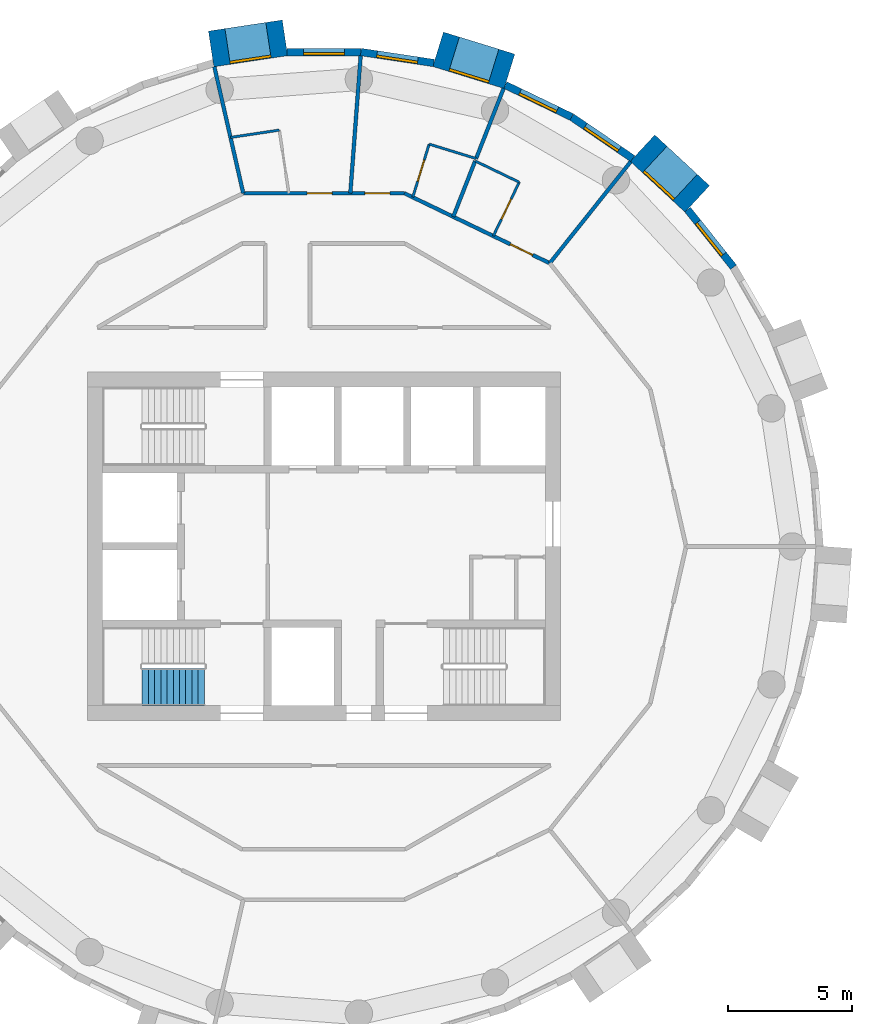
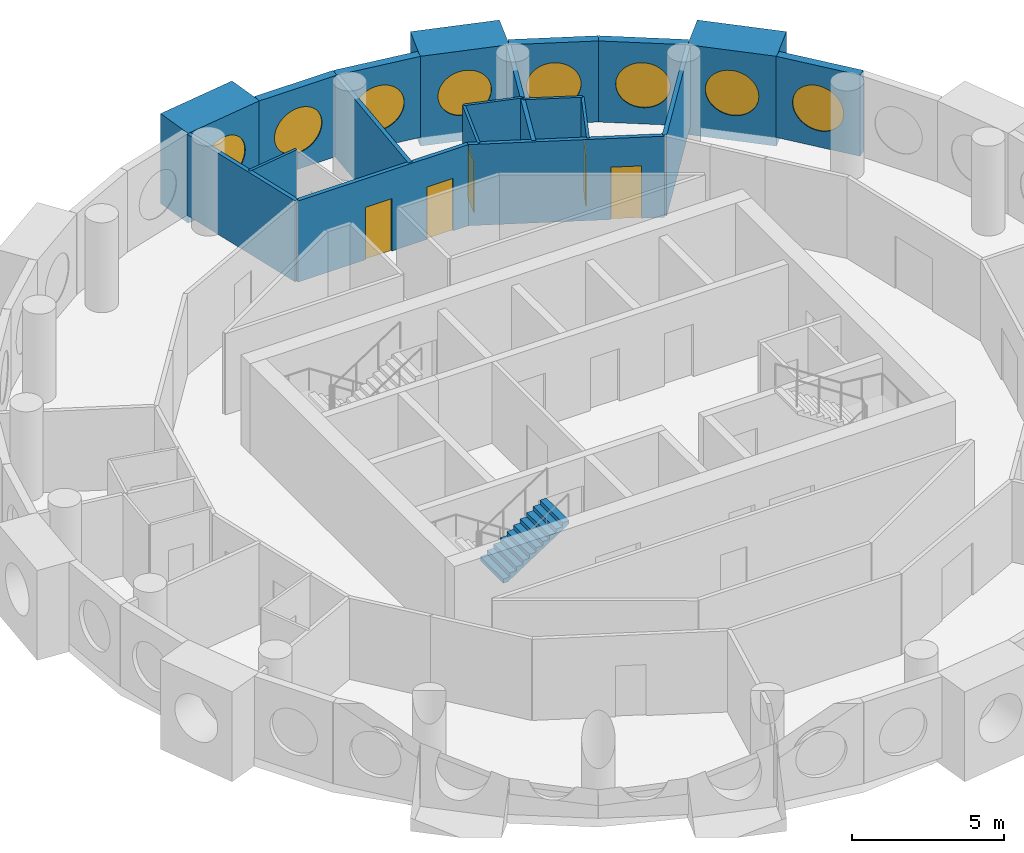
# One storey, part 10 of 12: 20 walls, 8 windows, 5 doors, 1 stair flight, 13 openings, 1 element without a shape of its own.
"""IFC4 building model written with IfcOpenShell, lengths in metres."""

from ifc_helpers import new_model, si_unit, direction, frame, frame_2d, origin, origin_2d, place, context, subcontext, project, spatial, polyline, rectangle, circle, outline, extrude, material, layer, layer_set, type_object, element, fill, aggregate, save


model = new_model("IFC4")

# Units and contexts
model_context = context("Model", 3, precision=1e-05, world=origin(), true_north=direction((0.0, 1.0)))
body_context = subcontext(model_context, "Body", "Model", "MODEL_VIEW")
ifc_project = project(units=[si_unit("LENGTHUNIT", "METRE"), si_unit("AREAUNIT", "SQUARE_METRE"), si_unit("VOLUMEUNIT", "CUBIC_METRE"), si_unit("PLANEANGLEUNIT", "RADIAN"), si_unit("MASSUNIT", "GRAM", prefix="KILO")], contexts=[model_context])

# Site, building, storey
site_placement = place(None, origin())
site = spatial("IfcSite", under=ifc_project, at=site_placement, CompositionType="ELEMENT")
building_placement = place(site_placement, origin())
building = spatial("IfcBuilding", under=site, at=building_placement, Name="Tracery Tower", CompositionType="ELEMENT")
storey_placement = place(building_placement, frame((0.0, 0.0, 241.800048828125)))
storey = spatial("IfcBuildingStorey", under=building, at=storey_placement, Name="L62", CompositionType="ELEMENT", Elevation=241.800048828125)

# Wall, opening, window
ifc_material_1 = material(Name="Precast concrete C50/60", Category="concrete")
ifc_layer_1 = layer(ifc_material_1, 1.449951171875)
ifc_layer_set_1 = layer_set([ifc_layer_1], Name="Deep-set bay unit 3000 x 3600, slab edge 350")
wall_type_1 = type_object("IfcWallType", Name="Deep-set bay unit 3000 x 3600, slab edge 350", PredefinedType="ELEMENTEDWALL", material=ifc_layer_set_1)
wall_1_placement = place(storey_placement, frame((15.0029296875, 13.964111328125, -0.35009765625), z_axis=(0.0, 0.0, 1.0), x_axis=(-0.733022439167, 0.680204457261, 0.0)))
wall_1 = element("IfcWall", 1, at=wall_1_placement, inside=storey, type_object=wall_type_1, Name="Deep-set bay unit 6 at L62", PredefinedType="ELEMENTEDWALL", context=body_context, shape_type="SweptSolid", body=[
    extrude(rectangle(XDim=2.999755859375, YDim=1.449951171875, at=frame_2d((1.5, 0.0))), origin(), (0.0, 0.0, 1.0), 3.60009765625),
])
opening_1_placement = place(wall_1_placement, frame((1.5, 0.0, 1.89990234375)))
opening_1 = element("IfcOpeningElement", 2, at=opening_1_placement, cuts=wall_1, Name="Opening WN1", PredefinedType="OPENING", context=body_context, shape_type="SweptSolid", body=[
    extrude(circle(Radius=0.9000244140625, at=origin_2d()), frame((0.0, 0.73486328125, 0.0), z_axis=(0.0, -1.0, 0.0), x_axis=(1.0, 0.0, 0.0)), (0.0, 0.0, 1.0), 1.469970703125),
])
ifc_material_2 = material(Name="Aluminium frame with tinted double glazing", Category="aluminium")
window_type = type_object("IfcWindowType", Name="Round window 1800", PartitioningType="SINGLE_PANEL", PredefinedType="WINDOW", material=ifc_material_2)
window_1_placement = place(opening_1_placement, origin())
window_1 = element("IfcWindow", 3, at=window_1_placement, inside=storey, type_object=window_type, Name="Round window 6 at L62", OverallHeight=1.800048828125, OverallWidth=1.800048828125, PartitioningType="SINGLE_PANEL", PredefinedType="WINDOW", context=body_context, shape_type="SweptSolid", body=[
    extrude(circle(Radius=0.9000244140625, at=origin_2d()), frame((0.0, 0.69482421875, 0.0), z_axis=(0.0, -1.0, 0.0), x_axis=(1.0, 0.0, 0.0)), (0.0, 0.0, 1.0), 0.10009765625),
])
fill(opening_1, window_1)

wall_2_placement = place(storey_placement, frame((7.45849609375, 19.0908203125, -0.35009765625), z_axis=(0.0, 0.0, 1.0), x_axis=(-0.955571139978, 0.294760574774, 0.0)))
wall_2 = element("IfcWall", 4, at=wall_2_placement, inside=storey, type_object=wall_type_1, Name="Deep-set bay unit 9 at L62", PredefinedType="ELEMENTEDWALL", context=body_context, shape_type="SweptSolid", body=[
    extrude(rectangle(XDim=3.0, YDim=1.449951171875, at=frame_2d((1.5, 0.0))), origin(), (0.0, 0.0, 1.0), 3.60009765625),
])
opening_2_placement = place(wall_2_placement, frame((1.5, 0.0, 1.89990234375)))
opening_2 = element("IfcOpeningElement", 5, at=opening_2_placement, cuts=wall_2, Name="Opening WN1", PredefinedType="OPENING", context=body_context, shape_type="SweptSolid", body=[
    extrude(circle(Radius=0.9000244140625, at=origin_2d()), frame((0.0, 0.73486328125, 0.0), z_axis=(0.0, -1.0, 0.0), x_axis=(1.0, 0.0, 0.0)), (0.0, 0.0, 1.0), 1.469970703125),
])
window_2_placement = place(opening_2_placement, origin())
window_2 = element("IfcWindow", 6, at=window_2_placement, inside=storey, type_object=window_type, Name="Round window 9 at L62", OverallHeight=1.800048828125, OverallWidth=1.800048828125, PartitioningType="SINGLE_PANEL", PredefinedType="WINDOW", context=body_context, shape_type="SweptSolid", body=[
    extrude(circle(Radius=0.9000244140625, at=origin_2d()), frame((0.0, 0.69482421875, 0.0), z_axis=(0.0, -1.0, 0.0), x_axis=(1.0, 0.0, 0.0)), (0.0, 0.0, 1.0), 0.10009765625),
])
fill(opening_2, window_2)

wall_3_placement = place(storey_placement, frame((-1.563232421875, 20.436279296875, -0.35009765625), z_axis=(0.0, 0.0, 1.0), x_axis=(-0.988836445254, -0.149004981587, 0.0)))
wall_3 = element("IfcWall", 7, at=wall_3_placement, inside=storey, type_object=wall_type_1, Name="Deep-set bay unit 12 at L62", PredefinedType="ELEMENTEDWALL", context=body_context, shape_type="SweptSolid", body=[
    extrude(rectangle(XDim=3.0, YDim=1.449951171875, at=frame_2d((1.5, 0.0))), origin(), (0.0, 0.0, 1.0), 3.60009765625),
])
opening_3_placement = place(wall_3_placement, frame((1.5, 0.0, 1.89990234375)))
opening_3 = element("IfcOpeningElement", 8, at=opening_3_placement, cuts=wall_3, Name="Opening WN1", PredefinedType="OPENING", context=body_context, shape_type="SweptSolid", body=[
    extrude(circle(Radius=0.9000244140625, at=origin_2d()), frame((0.0, 0.73486328125, 0.0), z_axis=(0.0, -1.0, 0.0), x_axis=(1.0, 0.0, 0.0)), (0.0, 0.0, 1.0), 1.469970703125),
])
window_3_placement = place(opening_3_placement, origin())
window_3 = element("IfcWindow", 9, at=window_3_placement, inside=storey, type_object=window_type, Name="Round window 12 at L62", OverallHeight=1.800048828125, OverallWidth=1.800048828125, PartitioningType="SINGLE_PANEL", PredefinedType="WINDOW", context=body_context, shape_type="SweptSolid", body=[
    extrude(circle(Radius=0.9000244140625, at=origin_2d()), frame((0.0, 0.69482421875, 0.0), z_axis=(0.0, -1.0, 0.0), x_axis=(1.0, 0.0, 0.0)), (0.0, 0.0, 1.0), 0.10009765625),
])
fill(opening_3, window_3)

ifc_material_3 = material(Name="Precast concrete C50/60", Category="concrete")
ifc_layer_2 = layer(ifc_material_3, 0.300048828125)
ifc_layer_set_2 = layer_set([ifc_layer_2], Name="Facade panel 3000 x 3250")
wall_type_2 = type_object("IfcWallType", Name="Facade panel 3000 x 3250", PredefinedType="SOLIDWALL", material=ifc_layer_set_2)
wall_4_placement = place(storey_placement, frame((16.460205078125, 11.222412109375, 0.0), z_axis=(0.0, 0.0, 1.0), x_axis=(-0.623498236992, 0.781824755599, 0.0)))
wall_4 = element("IfcWall", 10, at=wall_4_placement, inside=storey, type_object=wall_type_2, Name="Facade panel 5 at L62", PredefinedType="SOLIDWALL", context=body_context, shape_type="SweptSolid", body=[
    extrude(rectangle(XDim=2.962158203125, YDim=0.300048828125, at=frame_2d((1.48095703125, 0.0))), origin(), (0.0, 0.0, 1.0), 3.25),
])
opening_4_placement = place(wall_4_placement, frame((1.48095703125, 0.0, 1.5498046875)))
opening_4 = element("IfcOpeningElement", 11, at=opening_4_placement, cuts=wall_4, Name="Opening WN1", PredefinedType="OPENING", context=body_context, shape_type="SweptSolid", body=[
    extrude(circle(Radius=0.9000244140625, at=origin_2d()), frame((0.0, 0.159912109375, 0.0), z_axis=(0.0, -1.0, 0.0), x_axis=(1.0, 0.0, 0.0)), (0.0, 0.0, 1.0), 0.320068359375),
])
window_4_placement = place(opening_4_placement, origin())
window_4 = element("IfcWindow", 12, at=window_4_placement, inside=storey, type_object=window_type, Name="Round window 5 at L62", OverallHeight=1.800048828125, OverallWidth=1.800048828125, PartitioningType="SINGLE_PANEL", PredefinedType="WINDOW", context=body_context, shape_type="SweptSolid", body=[
    extrude(circle(Radius=0.9000244140625, at=origin_2d()), frame((0.0, 0.1201171875, 0.0), z_axis=(0.0, -1.0, 0.0), x_axis=(1.0, 0.0, 0.0)), (0.0, 0.0, 1.0), 0.10009765625),
])
fill(opening_4, window_4)

wall_5_placement = place(storey_placement, frame((12.408447265625, 15.583984375, 0.0), z_axis=(0.0, 0.0, 1.0), x_axis=(-0.826236061068, 0.563324037646, 0.0)))
wall_5 = element("IfcWall", 13, at=wall_5_placement, inside=storey, type_object=wall_type_2, Name="Facade panel 7 at L62", PredefinedType="SOLIDWALL", context=body_context, shape_type="SweptSolid", body=[
    extrude(rectangle(XDim=2.962158203125, YDim=0.300048828125, at=frame_2d((1.48095703125, 0.0))), origin(), (0.0, 0.0, 1.0), 3.25),
])
opening_5_placement = place(wall_5_placement, frame((1.48095703125, 0.0, 1.5498046875)))
opening_5 = element("IfcOpeningElement", 14, at=opening_5_placement, cuts=wall_5, Name="Opening WN1", PredefinedType="OPENING", context=body_context, shape_type="SweptSolid", body=[
    extrude(circle(Radius=0.9000244140625, at=origin_2d()), frame((0.0, 0.159912109375, 0.0), z_axis=(0.0, -1.0, 0.0), x_axis=(1.0, 0.0, 0.0)), (0.0, 0.0, 1.0), 0.320068359375),
])
window_5_placement = place(opening_5_placement, origin())
window_5 = element("IfcWindow", 15, at=window_5_placement, inside=storey, type_object=window_type, Name="Round window 7 at L62", OverallHeight=1.800048828125, OverallWidth=1.800048828125, PartitioningType="SINGLE_PANEL", PredefinedType="WINDOW", context=body_context, shape_type="SweptSolid", body=[
    extrude(circle(Radius=0.9000244140625, at=origin_2d()), frame((0.0, 0.1201171875, 0.0), z_axis=(0.0, -1.0, 0.0), x_axis=(1.0, 0.0, 0.0)), (0.0, 0.0, 1.0), 0.10009765625),
])
fill(opening_5, window_5)

wall_6_placement = place(storey_placement, frame((9.9609375, 17.252685546875, 0.0), z_axis=(0.0, 0.0, 1.0), x_axis=(-0.90095513435, 0.433912255978, 0.0)))
wall_6 = element("IfcWall", 16, at=wall_6_placement, inside=storey, type_object=wall_type_2, Name="Facade panel 8 at L62", PredefinedType="SOLIDWALL", context=body_context, shape_type="SweptSolid", body=[
    extrude(rectangle(XDim=2.96240234375, YDim=0.300048828125, at=frame_2d((1.481201171875, 0.0))), origin(), (0.0, 0.0, 1.0), 3.25),
])
opening_6_placement = place(wall_6_placement, frame((1.48095703125, 0.0, 1.5498046875)))
opening_6 = element("IfcOpeningElement", 17, at=opening_6_placement, cuts=wall_6, Name="Opening WN1", PredefinedType="OPENING", context=body_context, shape_type="SweptSolid", body=[
    extrude(circle(Radius=0.9000244140625, at=origin_2d()), frame((0.0, 0.159912109375, 0.0), z_axis=(0.0, -1.0, 0.0), x_axis=(1.0, 0.0, 0.0)), (0.0, 0.0, 1.0), 0.320068359375),
])
window_6_placement = place(opening_6_placement, origin())
window_6 = element("IfcWindow", 18, at=window_6_placement, inside=storey, type_object=window_type, Name="Round window 8 at L62", OverallHeight=1.800048828125, OverallWidth=1.800048828125, PartitioningType="SINGLE_PANEL", PredefinedType="WINDOW", context=body_context, shape_type="SweptSolid", body=[
    extrude(circle(Radius=0.9000244140625, at=origin_2d()), frame((0.0, 0.1201171875, 0.0), z_axis=(0.0, -1.0, 0.0), x_axis=(1.0, 0.0, 0.0)), (0.0, 0.0, 1.0), 0.10009765625),
])
fill(opening_6, window_6)

wall_7_placement = place(storey_placement, frame((4.41796875, 19.424560546875, 0.0), z_axis=(0.0, 0.0, 1.0), x_axis=(-0.988835775663, 0.149009425104, 0.0)))
wall_7 = element("IfcWall", 19, at=wall_7_placement, inside=storey, type_object=wall_type_2, Name="Facade panel 10 at L62", PredefinedType="SOLIDWALL", context=body_context, shape_type="SweptSolid", body=[
    extrude(rectangle(XDim=2.962158203125, YDim=0.300048828125, at=frame_2d((1.48095703125, 0.0))), origin(), (0.0, 0.0, 1.0), 3.25),
])
opening_7_placement = place(wall_7_placement, frame((1.48095703125, 0.0, 1.5498046875)))
opening_7 = element("IfcOpeningElement", 20, at=opening_7_placement, cuts=wall_7, Name="Opening WN1", PredefinedType="OPENING", context=body_context, shape_type="SweptSolid", body=[
    extrude(circle(Radius=0.9000244140625, at=origin_2d()), frame((0.0, 0.159912109375, 0.0), z_axis=(0.0, -1.0, 0.0), x_axis=(1.0, 0.0, 0.0)), (0.0, 0.0, 1.0), 0.320068359375),
])
window_7_placement = place(opening_7_placement, origin())
window_7 = element("IfcWindow", 21, at=window_7_placement, inside=storey, type_object=window_type, Name="Round window 10 at L62", OverallHeight=1.800048828125, OverallWidth=1.800048828125, PartitioningType="SINGLE_PANEL", PredefinedType="WINDOW", context=body_context, shape_type="SweptSolid", body=[
    extrude(circle(Radius=0.9000244140625, at=origin_2d()), frame((0.0, 0.1201171875, 0.0), z_axis=(0.0, -1.0, 0.0), x_axis=(1.0, 0.0, 0.0)), (0.0, 0.0, 1.0), 0.10009765625),
])
fill(opening_7, window_7)

wall_8_placement = place(storey_placement, frame((1.48876953125, 19.865966796875, 0.0), z_axis=(0.0, 0.0, 1.0), x_axis=(-1.0, 0.0, 0.0)))
wall_8 = element("IfcWall", 22, at=wall_8_placement, inside=storey, type_object=wall_type_2, Name="Facade panel 11 at L62", PredefinedType="SOLIDWALL", context=body_context, shape_type="SweptSolid", body=[
    extrude(rectangle(XDim=2.962158203125, YDim=0.300048828125, at=frame_2d((1.48095703125, 0.0))), origin(), (0.0, 0.0, 1.0), 3.25),
])
opening_8_placement = place(wall_8_placement, frame((1.48095703125, 0.0, 1.5498046875)))
opening_8 = element("IfcOpeningElement", 23, at=opening_8_placement, cuts=wall_8, Name="Opening WN1", PredefinedType="OPENING", context=body_context, shape_type="SweptSolid", body=[
    extrude(circle(Radius=0.9000244140625, at=origin_2d()), frame((0.0, 0.159912109375, 0.0), z_axis=(0.0, -1.0, 0.0), x_axis=(1.0, 0.0, 0.0)), (0.0, 0.0, 1.0), 0.320068359375),
])
window_8_placement = place(opening_8_placement, origin())
window_8 = element("IfcWindow", 24, at=window_8_placement, inside=storey, type_object=window_type, Name="Round window 11 at L62", OverallHeight=1.800048828125, OverallWidth=1.800048828125, PartitioningType="SINGLE_PANEL", PredefinedType="WINDOW", context=body_context, shape_type="SweptSolid", body=[
    extrude(circle(Radius=0.9000244140625, at=origin_2d()), frame((0.0, 0.1201171875, 0.0), z_axis=(0.0, -1.0, 0.0), x_axis=(1.0, 0.0, 0.0)), (0.0, 0.0, 1.0), 0.10009765625),
])
fill(opening_8, window_8)

# Wall, opening, door
ifc_material_4 = material(Name="Plasterboard on steel studs", Category="steel")
ifc_layer_3 = layer(ifc_material_4, 0.10009765625)
ifc_layer_set_3 = layer_set([ifc_layer_3], Name="Partition 100 wet wall")
wall_type_3 = type_object("IfcWallType", Name="Partition 100 wet wall", PredefinedType="PARTITIONING", material=ifc_layer_set_3)
wall_9_placement = place(storey_placement, frame((6.80908203125, 12.472900390625, 0.0), z_axis=(0.0, 0.0, 1.0), x_axis=(0.433815618773, 0.901001669759, 0.0)))
wall_9 = element("IfcWall", 25, at=wall_9_placement, inside=storey, type_object=wall_type_3, Name="Wet wall RC2-045", PredefinedType="PARTITIONING", context=body_context, shape_type="SweptSolid", body=[
    extrude(rectangle(XDim=2.399658203125, YDim=0.10009765625, at=frame_2d((1.19970703125, 0.0))), origin(), (0.0, 0.0, 1.0), 3.25),
])
opening_9_placement = place(wall_9_placement, frame((0.75, 0.0, 0.0)))
opening_9 = element("IfcOpeningElement", 26, at=opening_9_placement, cuts=wall_9, Name="Opening RC2-05", PredefinedType="OPENING", context=body_context, shape_type="SweptSolid", body=[
    extrude(rectangle(XDim=0.89990234375, YDim=2.0400390625, at=frame_2d((0.449951171875, 1.02001953125))), frame((0.0, 0.050048828125, 0.0), z_axis=(0.0, -1.0, 0.0), x_axis=(1.0, 0.0, 0.0)), (0.0, 0.0, 1.0), 0.10009765625),
])
ifc_material_5 = material(Name="Timber door leaf", Category="wood")
door_type_1 = type_object("IfcDoorType", Name="Door en-suite 900", OperationType="NOTDEFINED", PredefinedType="DOOR", material=ifc_material_5)
door_1_placement = place(opening_9_placement, origin())
door_1 = element("IfcDoor", 27, at=door_1_placement, inside=storey, type_object=door_type_1, Name="En-suite door RC2-05", OperationType="SINGLE_SWING_RIGHT", OverallHeight=2.0400390625, OverallWidth=0.89990234375, PredefinedType="DOOR", context=body_context, shape_type="SweptSolid", body=[
    extrude(rectangle(XDim=0.89990234375, YDim=2.0400390625, at=frame_2d((0.449951171875, 1.02001953125))), frame((0.0, 0.02490234375, 0.0), z_axis=(0.0, -1.0, 0.0), x_axis=(1.0, 0.0, 0.0)), (0.0, 0.0, 1.0), 0.050048828125),
])
fill(opening_9, door_1)

# Walls
wall_10_placement = place(storey_placement, frame((6.0791015625, 15.488037109375, 0.0), z_axis=(0.0, 0.0, 1.0), x_axis=(0.900936932599, -0.433950047216, 0.0)))
element("IfcWall", 28, at=wall_10_placement, inside=storey, type_object=wall_type_3, Name="Wet wall RC2-046", PredefinedType="PARTITIONING", context=body_context, shape_type="SweptSolid", body=[
    extrude(rectangle(XDim=1.9658203125, YDim=0.10009765625, at=frame_2d((0.98291015625, 0.0))), origin(), (0.0, 0.0, 1.0), 3.25),
])
wall_11_placement = place(storey_placement, frame((4.23095703125, 16.166015625, 0.0), z_axis=(0.0, 0.0, 1.0), x_axis=(0.955671951668, -0.294433559219, 0.0)))
element("IfcWall", 29, at=wall_11_placement, inside=storey, type_object=wall_type_3, Name="Wet wall RC2-049", PredefinedType="PARTITIONING", context=body_context, shape_type="SweptSolid", body=[
    extrude(rectangle(XDim=1.973388671875, YDim=0.10009765625, at=frame_2d((0.98681640625, 0.0))), origin(), (0.0, 0.0, 1.0), 3.25),
])

# Wall, opening, door
wall_12_placement = place(storey_placement, frame((3.572021484375, 14.031982421875, 0.0), z_axis=(0.0, 0.0, 1.0), x_axis=(0.295030507093, 0.955487833457, 0.0)))
wall_12 = element("IfcWall", 30, at=wall_12_placement, inside=storey, type_object=wall_type_3, Name="Wet wall RC2-050", PredefinedType="PARTITIONING", context=body_context, shape_type="SweptSolid", body=[
    extrude(rectangle(XDim=2.2333984375, YDim=0.10009765625, at=frame_2d((1.11669921875, 0.0))), origin(), (0.0, 0.0, 1.0), 3.25),
])
opening_10_placement = place(wall_12_placement, frame((0.66650390625, 0.0, 0.0)))
opening_10 = element("IfcOpeningElement", 31, at=opening_10_placement, cuts=wall_12, Name="Opening RC2-07", PredefinedType="OPENING", context=body_context, shape_type="SweptSolid", body=[
    extrude(rectangle(XDim=0.89990234375, YDim=2.0400390625, at=frame_2d((0.449951171875, 1.02001953125))), frame((0.0, 0.050048828125, 0.0), z_axis=(0.0, -1.0, 0.0), x_axis=(1.0, 0.0, 0.0)), (0.0, 0.0, 1.0), 0.10009765625),
])
door_2_placement = place(opening_10_placement, origin())
door_2 = element("IfcDoor", 32, at=door_2_placement, inside=storey, type_object=door_type_1, Name="En-suite door RC2-07", OperationType="SINGLE_SWING_RIGHT", OverallHeight=2.0400390625, OverallWidth=0.89990234375, PredefinedType="DOOR", context=body_context, shape_type="SweptSolid", body=[
    extrude(rectangle(XDim=0.89990234375, YDim=2.0400390625, at=frame_2d((0.449951171875, 1.02001953125))), frame((0.0, 0.02490234375, 0.0), z_axis=(0.0, -1.0, 0.0), x_axis=(1.0, 0.0, 0.0)), (0.0, 0.0, 1.0), 0.050048828125),
])
fill(opening_10, door_2)

# Walls
wall_13_placement = place(storey_placement, frame((-3.7509765625, 16.43408203125, 0.0), z_axis=(0.0, 0.0, 1.0), x_axis=(0.988867580828, 0.148798210967, 0.0)))
element("IfcWall", 33, at=wall_13_placement, inside=storey, type_object=wall_type_3, Name="Wet wall RC2-053", PredefinedType="PARTITIONING", context=body_context, shape_type="SweptSolid", body=[
    extrude(rectangle(XDim=1.98193359375, YDim=0.10009765625, at=frame_2d((0.990966796875, 0.0))), origin(), (0.0, 0.0, 1.0), 3.25),
])
ifc_material_6 = material(Name="Plasterboard on steel studs", Category="steel")
ifc_layer_4 = layer(ifc_material_6, 0.14990234375)
ifc_layer_set_4 = layer_set([ifc_layer_4], Name="Partition 150 acoustic unit wall")
wall_type_4 = type_object("IfcWallType", Name="Partition 150 acoustic unit wall", PredefinedType="PARTITIONING", material=ifc_layer_set_4)
wall_14_placement = place(storey_placement, frame((9.075927734375, 11.381103515625, 0.0), z_axis=(0.0, 0.0, 1.0), x_axis=(0.623460949534, 0.781854490558, 0.0)))
element("IfcWall", 34, at=wall_14_placement, inside=storey, type_object=wall_type_4, Name="Unit wall RC2-043", PredefinedType="PARTITIONING", context=body_context, shape_type="SweptSolid", body=[
    extrude(rectangle(XDim=5.21435546875, YDim=0.14990234375, at=frame_2d((2.607177734375, 0.0))), origin(), (0.0, 0.0, 1.0), 3.25),
])
wall_15_placement = place(storey_placement, frame((6.115966796875, 15.5810546875, 0.0), z_axis=(0.0, 0.0, 1.0), x_axis=(0.364942529397, 0.931030047978, 0.0)))
element("IfcWall", 35, at=wall_15_placement, inside=storey, type_object=wall_type_4, Name="Unit wall RC2-047", PredefinedType="PARTITIONING", context=body_context, shape_type="SweptSolid", body=[
    extrude(rectangle(XDim=3.033203125, YDim=0.14990234375, at=frame_2d((1.5166015625, 0.0))), origin(), (0.0, 0.0, 1.0), 3.25),
])
wall_16_placement = place(storey_placement, frame((5.198974609375, 13.248046875, 0.0), z_axis=(0.0, 0.0, 1.0), x_axis=(0.365699450144, 0.930732997247, 0.0)))
element("IfcWall", 36, at=wall_16_placement, inside=storey, type_object=wall_type_4, Name="Unit wall RC2-048", PredefinedType="PARTITIONING", context=body_context, shape_type="SweptSolid", body=[
    extrude(rectangle(XDim=2.40673828125, YDim=0.14990234375, at=frame_2d((1.203369140625, 0.0))), origin(), (0.0, 0.0, 1.0), 3.25),
])
wall_17_placement = place(storey_placement, frame((1.06396484375, 14.19189453125, 0.0), z_axis=(0.0, 0.0, 1.0), x_axis=(0.074745027699, 0.997202677912, 0.0)))
element("IfcWall", 37, at=wall_17_placement, inside=storey, type_object=wall_type_4, Name="Unit wall RC2-051", PredefinedType="PARTITIONING", context=body_context, shape_type="SweptSolid", body=[
    extrude(rectangle(XDim=5.53955078125, YDim=0.14990234375, at=frame_2d((2.769775390625, 0.0))), origin(), (0.0, 0.0, 1.0), 3.25),
])
wall_18_placement = place(storey_placement, frame((-4.39990234375, 19.27587890625, 0.0), z_axis=(0.0, 0.0, 1.0), x_axis=(0.222612505682, -0.974907007008, 0.0)))
element("IfcWall", 38, at=wall_18_placement, inside=storey, type_object=wall_type_4, Name="Unit wall RC2-054", PredefinedType="PARTITIONING", context=body_context, shape_type="SweptSolid", body=[
    extrude(rectangle(XDim=5.21484375, YDim=0.14990234375, at=frame_2d((2.607421875, 0.0))), origin(), (0.0, 0.0, 1.0), 3.25),
])

# Wall, opening, door
ifc_material_7 = material(Name="Plasterboard on steel studs", Category="steel")
ifc_layer_5 = layer(ifc_material_7, 0.14990234375)
ifc_layer_set_5 = layer_set([ifc_layer_5], Name="Partition 150 corridor wall")
wall_type_5 = type_object("IfcWallType", Name="Partition 150 corridor wall", PredefinedType="PARTITIONING", material=ifc_layer_set_5)
wall_19_placement = place(storey_placement, frame((3.23828125, 14.190673828125, 0.0), z_axis=(0.0, 0.0, 1.0), x_axis=(0.901070942113, -0.433671716024, 0.0)))
wall_19 = element("IfcWall", 39, at=wall_19_placement, inside=storey, type_object=wall_type_5, Name="Corridor wall RC2-030", PredefinedType="PARTITIONING", context=body_context, shape_type="SweptSolid", body=[
    extrude(rectangle(XDim=6.478515625, YDim=0.14990234375, at=frame_2d((3.2392578125, 0.0))), origin(), (0.0, 0.0, 1.0), 3.25),
])
opening_11_placement = place(wall_19_placement, frame((4.71826171875, 0.0, 0.0)))
opening_11 = element("IfcOpeningElement", 40, at=opening_11_placement, cuts=wall_19, Name="Opening RC2-06", PredefinedType="OPENING", context=body_context, shape_type="SweptSolid", body=[
    extrude(rectangle(XDim=1.0, YDim=2.10009765625, at=frame_2d((0.5, 1.050048828125))), frame((0.0, 0.074951171875, 0.0), z_axis=(0.0, -1.0, 0.0), x_axis=(1.0, 0.0, 0.0)), (0.0, 0.0, 1.0), 0.14990234375),
])
ifc_material_8 = material(Name="Timber door leaf", Category="wood")
door_type_2 = type_object("IfcDoorType", Name="Door unit entrance 1000", OperationType="NOTDEFINED", PredefinedType="DOOR", material=ifc_material_8)
door_3_placement = place(opening_11_placement, origin())
door_3 = element("IfcDoor", 41, at=door_3_placement, inside=storey, type_object=door_type_2, Name="Unit entrance door RC2-06", OperationType="SINGLE_SWING_LEFT", OverallHeight=2.10009765625, OverallWidth=1.0, PredefinedType="DOOR", context=body_context, shape_type="SweptSolid", body=[
    extrude(rectangle(XDim=1.0, YDim=2.10009765625, at=frame_2d((0.5, 1.050048828125))), frame((0.0, 0.02490234375, 0.0), z_axis=(0.0, -1.0, 0.0), x_axis=(1.0, 0.0, 0.0)), (0.0, 0.0, 1.0), 0.050048828125),
])
fill(opening_11, door_3)

# Wall, openings, doors
wall_20_placement = place(storey_placement, frame((-3.239013671875, 14.19189453125, 0.0), z_axis=(0.0, 0.0, 1.0), x_axis=(1.0, 0.0, 0.0)))
wall_20 = element("IfcWall", 42, at=wall_20_placement, inside=storey, type_object=wall_type_5, Name="Corridor wall RC2-031", PredefinedType="PARTITIONING", context=body_context, shape_type="SweptSolid", body=[
    extrude(rectangle(XDim=6.47802734375, YDim=0.14990234375, at=frame_2d((3.239013671875, 0.0))), origin(), (0.0, 0.0, 1.0), 3.25),
])
opening_12_placement = place(wall_20_placement, frame((4.887939453125, 0.0, 0.0)))
opening_12 = element("IfcOpeningElement", 43, at=opening_12_placement, cuts=wall_20, Name="Opening RC2-08", PredefinedType="OPENING", context=body_context, shape_type="SweptSolid", body=[
    extrude(rectangle(XDim=1.0, YDim=2.10009765625, at=frame_2d((0.5, 1.050048828125))), frame((0.0, 0.074951171875, 0.0), z_axis=(0.0, -1.0, 0.0), x_axis=(1.0, 0.0, 0.0)), (0.0, 0.0, 1.0), 0.14990234375),
])
opening_13_placement = place(wall_20_placement, frame((2.56689453125, 0.0, 0.0)))
opening_13 = element("IfcOpeningElement", 44, at=opening_13_placement, cuts=wall_20, Name="Opening RC2-10", PredefinedType="OPENING", context=body_context, shape_type="SweptSolid", body=[
    extrude(rectangle(XDim=1.0, YDim=2.10009765625, at=frame_2d((0.5, 1.050048828125))), frame((0.0, 0.074951171875, 0.0), z_axis=(0.0, -1.0, 0.0), x_axis=(1.0, 0.0, 0.0)), (0.0, 0.0, 1.0), 0.14990234375),
])
door_4_placement = place(opening_12_placement, origin())
door_4 = element("IfcDoor", 45, at=door_4_placement, inside=storey, type_object=door_type_2, Name="Unit entrance door RC2-08", OperationType="SINGLE_SWING_LEFT", OverallHeight=2.10009765625, OverallWidth=1.0, PredefinedType="DOOR", context=body_context, shape_type="SweptSolid", body=[
    extrude(rectangle(XDim=1.0, YDim=2.10009765625, at=frame_2d((0.5, 1.050048828125))), frame((0.0, 0.02490234375, 0.0), z_axis=(0.0, -1.0, 0.0), x_axis=(1.0, 0.0, 0.0)), (0.0, 0.0, 1.0), 0.050048828125),
])
fill(opening_12, door_4)
door_5_placement = place(opening_13_placement, origin())
door_5 = element("IfcDoor", 46, at=door_5_placement, inside=storey, type_object=door_type_2, Name="Unit entrance door RC2-10", OperationType="SINGLE_SWING_RIGHT", OverallHeight=2.10009765625, OverallWidth=1.0, PredefinedType="DOOR", context=body_context, shape_type="SweptSolid", body=[
    extrude(rectangle(XDim=1.0, YDim=2.10009765625, at=frame_2d((0.5, 1.050048828125))), frame((0.0, 0.02490234375, 0.0), z_axis=(0.0, -1.0, 0.0), x_axis=(1.0, 0.0, 0.0)), (0.0, 0.0, 1.0), 0.050048828125),
])
fill(opening_13, door_5)

# Stair, stair flight
ifc_material_9 = material(Name="Concrete C32/40", Category="concrete")
stair_type = type_object("IfcStairType", Name="Core stair 22 risers", PredefinedType="HALF_TURN_STAIR", material=ifc_material_9)
stair_placement = place(storey_placement, origin())
stair = element("IfcStair", 47, at=stair_placement, inside=storey, type_object=stair_type, Name="L62 stair ST1", PredefinedType="HALF_TURN_STAIR")
ifc_material_10 = material(Name="Concrete C32/40", Category="concrete")
stair_flight_type = type_object("IfcStairFlightType", Name="Core stair flight 11 risers", PredefinedType="STRAIGHT", material=ifc_material_10)
stair_flight_placement = place(storey_placement, frame((-7.300048828125, -5.64990234375, 1.800048828125), z_axis=(0.0, 0.0, 1.0), x_axis=(1.0, 0.0, 0.0)))
stair_flight = element("IfcStairFlight", 48, at=stair_flight_placement, type_object=stair_flight_type, Name="ST1 flight 2", NumberOfRisers=11, NumberOfTreads=10, PredefinedType="STRAIGHT", RiserHeight=0.163636364, TreadLength=0.25, context=body_context, shape_type="SweptSolid", body=[
    extrude(outline(polyline([(0.0, 0.0), (0.0, 0.002685546875), (0.0, 0.00537109375), (0.0, 0.008056640625), (0.0, 0.0107421875), (0.0, 0.013427734375), (0.0, 0.01611328125), (0.0, 0.018798828125), (0.0, 0.021484375), (0.0, 0.024169921875), (0.0, 0.02685546875), (0.0, 0.029541015625), (0.0, 0.0322265625), (0.0, 0.034912109375), (0.0, 0.03759765625), (0.0, 0.040283203125), (0.0, 0.04296875), (0.0, 0.045654296875), (0.0, 0.04833984375), (0.0, 0.051025390625), (0.0, 0.0537109375), (0.0, 0.056396484375), (0.0, 0.05908203125), (0.0, 0.061767578125), (0.0, 0.064453125), (0.0, 0.067138671875), (0.0, 0.06982421875), (0.0, 0.072509765625), (0.0, 0.0751953125), (0.0, 0.077880859375), (0.0, 0.08056640625), (0.0, 0.083251953125), (0.0, 0.0859375), (0.0, 0.088623046875), (0.0, 0.09130859375), (0.0, 0.093994140625), (0.0, 0.0966796875), (0.0, 0.099365234375), (0.0, 0.10205078125), (0.0, 0.104736328125), (0.0, 0.107421875), (0.0, 0.10986328125), (0.0, 0.112548828125), (0.0, 0.115234375), (0.0, 0.117919921875), (0.0, 0.12060546875), (0.0, 0.123291015625), (0.0, 0.1259765625), (0.0, 0.128662109375), (0.0, 0.13134765625), (0.0, 0.134033203125), (0.0, 0.13671875), (0.0, 0.139404296875), (0.0, 0.14208984375), (0.0, 0.144775390625), (0.0, 0.1474609375), (0.0, 0.150146484375), (0.0, 0.15283203125), (0.0, 0.155517578125), (0.0, 0.158203125), (0.0, 0.160888671875), (0.0, 0.16357421875), (0.25, 0.16357421875), (0.25, 0.327392578125), (0.5, 0.327392578125), (0.5, 0.490966796875), (0.75, 0.490966796875), (0.75, 0.654541015625), (1.0, 0.654541015625), (1.0, 0.818115234375), (1.25, 0.818115234375), (1.25, 0.98193359375), (1.5, 0.98193359375), (1.5, 1.1455078125), (1.75, 1.1455078125), (1.75, 1.30908203125), (2.0, 1.30908203125), (2.0, 1.47265625), (2.25, 1.47265625), (2.25, 1.636474609375), (2.5, 1.636474609375), (2.5, 1.634521484375), (2.5, 1.63232421875), (2.5, 1.63037109375), (2.5, 1.62841796875), (2.5, 1.62646484375), (2.5, 1.62451171875), (2.5, 1.62255859375), (2.5, 1.62060546875), (2.5, 1.61865234375), (2.5, 1.61669921875), (2.5, 1.61474609375), (2.5, 1.61279296875), (2.5, 1.61083984375), (2.5, 1.60888671875), (2.5, 1.60693359375), (2.5, 1.60498046875), (2.5, 1.60302734375), (2.5, 1.60107421875), (2.5, 1.59912109375), (2.5, 1.59716796875), (2.5, 1.59521484375), (2.5, 1.59326171875), (2.5, 1.59130859375), (2.5, 1.58935546875), (2.5, 1.58740234375), (2.5, 1.58544921875), (2.5, 1.58349609375), (2.5, 1.58154296875), (2.5, 1.57958984375), (2.5, 1.57763671875), (2.5, 1.57568359375), (2.5, 1.573486328125), (2.5, 1.571533203125), (2.5, 1.569580078125), (2.5, 1.567626953125), (2.5, 1.565673828125), (2.5, 1.563720703125), (2.5, 1.561767578125), (2.5, 1.559814453125), (2.5, 1.557861328125), (2.5, 1.555908203125), (2.5, 1.553955078125), (2.5, 1.552001953125), (2.5, 1.550048828125), (2.5, 1.548095703125), (2.5, 1.546142578125), (2.5, 1.544189453125), (2.5, 1.542236328125), (2.5, 1.540283203125), (2.5, 1.538330078125), (2.5, 1.536376953125), (2.5, 1.534423828125), (2.5, 1.532470703125), (2.5, 1.530517578125), (2.5, 1.528564453125), (2.5, 1.526611328125), (2.5, 1.524658203125), (2.5, 1.522705078125), (2.5, 1.520751953125), (2.5, 1.518798828125), (2.5, 1.516845703125), (0.182861328125, 0.0), (0.0, 0.0)])), frame((0.0, 0.75, 0.0), z_axis=(0.0, -1.0, 0.0), x_axis=(1.0, 0.0, 0.0)), (0.0, 0.0, 1.0), 1.5),
])
aggregate(stair, [stair_flight])

save(model, "model.ifc")
